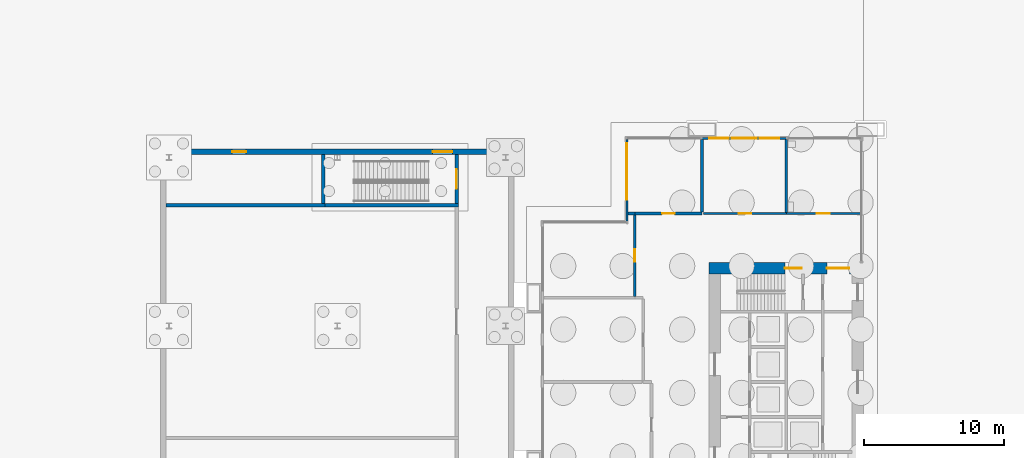
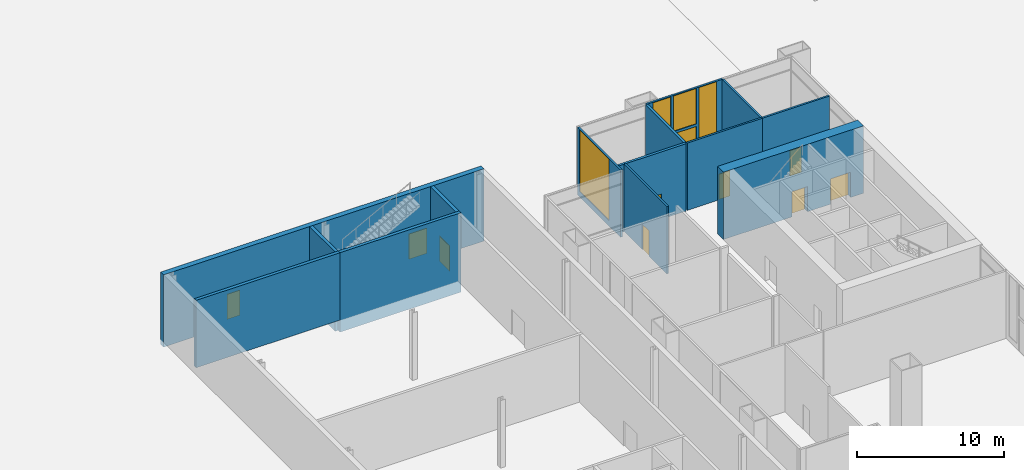
# One storey, part 24 of 29: 15 walls, 10 doors, 4 windows, 14 openings.
"""IFC4 building model written with IfcOpenShell, lengths in metres."""

from ifc_helpers import new_model, si_unit, direction, frame, frame_2d, origin, place, context, subcontext, project, spatial, rectangle, extrude, material, layer, layer_set, type_object, element, fill, save


model = new_model("IFC4")

# Units and contexts
model_context = context("Model", 3, precision=1e-05, world=origin(), true_north=direction((0.0, 1.0)))
body_context = subcontext(model_context, "Body", "Model", "MODEL_VIEW")
ifc_project = project(units=[si_unit("LENGTHUNIT", "METRE"), si_unit("AREAUNIT", "SQUARE_METRE"), si_unit("VOLUMEUNIT", "CUBIC_METRE"), si_unit("PLANEANGLEUNIT", "RADIAN"), si_unit("MASSUNIT", "GRAM", prefix="KILO")], contexts=[model_context])

# Site, building, storey
site_placement = place(None, origin())
site = spatial("IfcSite", under=ifc_project, at=site_placement, CompositionType="ELEMENT")
building_placement = place(site_placement, origin())
building = spatial("IfcBuilding", under=site, at=building_placement, Name="Kitamizu Gate Tower and Museum", CompositionType="ELEMENT")
storey_placement = place(building_placement, origin())
storey = spatial("IfcBuildingStorey", under=building, at=storey_placement, Name="L00", CompositionType="ELEMENT", Elevation=0.0)

# Wall, openings, doors
ifc_material_1 = material(Name="Concrete Fc60", Category="concrete")
ifc_layer_1 = layer(ifc_material_1, 0.800048828125)
ifc_layer_set_1 = layer_set([ifc_layer_1], Name="Concrete Fc60")
wall_type_1 = type_object("IfcWallType", Name="Core wall 800", PredefinedType="SHEAR", material=ifc_layer_set_1)
wall_1_placement = place(storey_placement, frame((12.5, 38.10009765625, 0.0), z_axis=(0.0, 0.0, 1.0), x_axis=(1.0, 0.0, 0.0)))
wall_1 = element("IfcWall", 1, at=wall_1_placement, inside=storey, type_object=wall_type_1, Name="Core wall WN", PredefinedType="SHEAR", context=body_context, shape_type="SweptSolid", body=[
    extrude(rectangle(XDim=11.0, YDim=0.800048828125, at=frame_2d((5.5, 0.0))), origin(), (0.0, 0.0, 1.0), 5.60009765625),
])
opening_1_placement = place(wall_1_placement, frame((8.39990234375, 0.0, 0.0)))
opening_1 = element("IfcOpeningElement", 2, at=opening_1_placement, cuts=wall_1, Name="Opening L00-022", PredefinedType="OPENING", context=body_context, shape_type="SweptSolid", body=[
    extrude(rectangle(XDim=1.60009765625, YDim=2.10009765625, at=frame_2d((0.800048828125, 1.050048828125))), frame((0.0, 0.41015625, 0.0), z_axis=(0.0, -1.0, 0.0), x_axis=(1.0, 0.0, 0.0)), (0.0, 0.0, 1.0), 0.820068359375),
])
opening_2_placement = place(wall_1_placement, frame((5.39990234375, 0.0, 0.0)))
opening_2 = element("IfcOpeningElement", 3, at=opening_2_placement, cuts=wall_1, Name="Opening L00-025", PredefinedType="OPENING", context=body_context, shape_type="SweptSolid", body=[
    extrude(rectangle(XDim=1.199951171875, YDim=2.10009765625, at=frame_2d((0.60009765625, 1.050048828125))), frame((0.0, 0.41015625, 0.0), z_axis=(0.0, -1.0, 0.0), x_axis=(1.0, 0.0, 0.0)), (0.0, 0.0, 1.0), 0.820068359375),
])
ifc_material_2 = material(Name="Timber door set", Category="wood")
door_type_1 = type_object("IfcDoorType", Name="Entrance door 1600", OperationType="DOUBLE_DOOR_SINGLE_SWING", PredefinedType="DOOR", material=ifc_material_2)
door_1_placement = place(opening_1_placement, origin())
door_1 = element("IfcDoor", 4, at=door_1_placement, inside=storey, type_object=door_type_1, Name="Lobby door L00-022", OperationType="DOUBLE_DOOR_SINGLE_SWING", OverallHeight=2.10009765625, OverallWidth=1.60009765625, PredefinedType="DOOR", context=body_context, shape_type="SweptSolid", body=[
    extrude(rectangle(XDim=1.60009765625, YDim=2.10009765625, at=frame_2d((0.800048828125, 1.050048828125))), frame((0.0, 0.02490234375, 0.0), z_axis=(0.0, -1.0, 0.0), x_axis=(1.0, 0.0, 0.0)), (0.0, 0.0, 1.0), 0.050048828125),
])
fill(opening_1, door_1)
ifc_material_3 = material(Name="Timber door set", Category="wood")
door_type_2 = type_object("IfcDoorType", Name="Exit door 1200", OperationType="DOUBLE_DOOR_SINGLE_SWING", PredefinedType="DOOR", material=ifc_material_3)
door_2_placement = place(opening_2_placement, origin())
door_2 = element("IfcDoor", 5, at=door_2_placement, inside=storey, type_object=door_type_2, Name="Stair exit door L00-025", OperationType="DOUBLE_DOOR_SINGLE_SWING", OverallHeight=2.10009765625, OverallWidth=1.199951171875, PredefinedType="DOOR", context=body_context, shape_type="SweptSolid", body=[
    extrude(rectangle(XDim=1.199951171875, YDim=2.10009765625, at=frame_2d((0.60009765625, 1.050048828125))), frame((0.0, 0.02490234375, 0.0), z_axis=(0.0, -1.0, 0.0), x_axis=(1.0, 0.0, 0.0)), (0.0, 0.0, 1.0), 0.050048828125),
])
fill(opening_2, door_2)

# Wall, opening, door
ifc_material_4 = material(Name="Concrete Fc30", Category="concrete")
ifc_layer_2 = layer(ifc_material_4, 0.25)
ifc_layer_set_2 = layer_set([ifc_layer_2], Name="Concrete Fc30")
wall_type_2 = type_object("IfcWallType", Name="Museum RC core wall 250 EI 90", PredefinedType="SHEAR", material=ifc_layer_set_2)
wall_2_placement = place(storey_placement, frame((-5.5, 42.72509765625, -1.0), z_axis=(0.0, 0.0, 1.0), x_axis=(0.0, 1.0, 0.0)))
wall_2 = element("IfcWall", 6, at=wall_2_placement, inside=storey, type_object=wall_type_2, Name="Core wall L00.17.1", PredefinedType="SHEAR", context=body_context, shape_type="SweptSolid", body=[
    extrude(rectangle(XDim=3.474853515625, YDim=0.25, at=frame_2d((1.7373046875, 0.0))), origin(), (0.0, 0.0, 1.0), 6.60009765625),
])
opening_3_placement = place(wall_2_placement, frame((1.0380859375, 0.0, 1.0)))
opening_3 = element("IfcOpeningElement", 7, at=opening_3_placement, cuts=wall_2, Name="Opening MUS-L00-010", PredefinedType="OPENING", context=body_context, shape_type="SweptSolid", body=[
    extrude(rectangle(XDim=1.39990234375, YDim=2.10009765625, at=frame_2d((0.699951171875, 1.050048828125))), frame((0.0, 0.135009765625, 0.0), z_axis=(0.0, -1.0, 0.0), x_axis=(1.0, 0.0, 0.0)), (0.0, 0.0, 1.0), 0.27001953125),
])
ifc_material_5 = material(Name="Timber leaf in hollow metal frame", Category="wood")
door_type_3 = type_object("IfcDoorType", Name="Museum door 1400x2100 FD60", OperationType="DOUBLE_DOOR_SINGLE_SWING", PredefinedType="DOOR", material=ifc_material_5)
door_3_placement = place(opening_3_placement, origin())
door_3 = element("IfcDoor", 8, at=door_3_placement, inside=storey, type_object=door_type_3, Name="Door Stair N", OperationType="DOUBLE_DOOR_SINGLE_SWING", OverallHeight=2.10009765625, OverallWidth=1.39990234375, PredefinedType="DOOR", context=body_context, shape_type="SweptSolid", body=[
    extrude(rectangle(XDim=1.39990234375, YDim=2.10009765625, at=frame_2d((0.699951171875, 1.050048828125))), frame((0.0, 0.02490234375, 0.0), z_axis=(0.0, -1.0, 0.0), x_axis=(1.0, 0.0, 0.0)), (0.0, 0.0, 1.0), 0.050048828125),
])
fill(opening_3, door_3)

# Walls
wall_3_placement = place(storey_placement, frame((-14.875, 42.60009765625, -1.0), z_axis=(0.0, 0.0, 1.0), x_axis=(1.0, 0.0, 0.0)))
element("IfcWall", 9, at=wall_3_placement, inside=storey, type_object=wall_type_2, Name="Core wall L00.38.1", PredefinedType="SHEAR", context=body_context, shape_type="SweptSolid", body=[
    extrude(rectangle(XDim=9.5, YDim=0.25, at=frame_2d((4.75, 0.0))), origin(), (0.0, 0.0, 1.0), 6.60009765625),
])
wall_4_placement = place(storey_placement, frame((-15.0, 42.72509765625, -1.0), z_axis=(0.0, 0.0, 1.0), x_axis=(0.0, 1.0, 0.0)))
element("IfcWall", 10, at=wall_4_placement, inside=storey, type_object=wall_type_2, Name="Core wall L00.39.1", PredefinedType="SHEAR", context=body_context, shape_type="SweptSolid", body=[
    extrude(rectangle(XDim=3.474853515625, YDim=0.25, at=frame_2d((1.7373046875, 0.0))), origin(), (0.0, 0.0, 1.0), 6.60009765625),
])

# Wall, openings, doors
ifc_material_6 = material(Name="Concrete Fc30 precast", Category="concrete")
ifc_layer_3 = layer(ifc_material_6, 0.39990234375)
ifc_layer_set_3 = layer_set([ifc_layer_3], Name="Concrete Fc30 precast")
wall_type_3 = type_object("IfcWallType", Name="Museum cladding wall 400", PredefinedType="STANDARD", material=ifc_layer_set_3)
wall_5_placement = place(storey_placement, frame((-26.60009765625, 46.39990234375, -0.39990234375), z_axis=(0.0, 0.0, 1.0), x_axis=(1.0, 0.0, 0.0)))
wall_5 = element("IfcWall", 11, at=wall_5_placement, inside=storey, type_object=wall_type_3, Name="Cladding wall L00.8", PredefinedType="STANDARD", context=body_context, shape_type="SweptSolid", body=[
    extrude(rectangle(XDim=25.2001953125, YDim=0.39990234375, at=frame_2d((12.60009765625, 0.0))), origin(), (0.0, 0.0, 1.0), 6.0),
])
opening_4_placement = place(wall_5_placement, frame((19.39990234375, 0.0, 0.39990234375)))
opening_4 = element("IfcOpeningElement", 12, at=opening_4_placement, cuts=wall_5, Name="Opening MUS-L00-004", PredefinedType="OPENING", context=body_context, shape_type="SweptSolid", body=[
    extrude(rectangle(XDim=1.39990234375, YDim=2.10009765625, at=frame_2d((0.699951171875, 1.050048828125))), frame((0.0, 0.2099609375, 0.0), z_axis=(0.0, -1.0, 0.0), x_axis=(1.0, 0.0, 0.0)), (0.0, 0.0, 1.0), 0.419921875),
])
opening_5_placement = place(wall_5_placement, frame((5.10009765625, 0.0, 0.39990234375)))
opening_5 = element("IfcOpeningElement", 13, at=opening_5_placement, cuts=wall_5, Name="Opening MUS-L00-008", PredefinedType="OPENING", context=body_context, shape_type="SweptSolid", body=[
    extrude(rectangle(XDim=1.0, YDim=2.10009765625, at=frame_2d((0.5, 1.050048828125))), frame((0.0, 0.2099609375, 0.0), z_axis=(0.0, -1.0, 0.0), x_axis=(1.0, 0.0, 0.0)), (0.0, 0.0, 1.0), 0.419921875),
])
ifc_material_7 = material(Name="Bronze anodised aluminium and tinted glass", Category="aluminium")
door_type_4 = type_object("IfcDoorType", Name="Museum entrance door 1000x2100 FD60", OperationType="NOTDEFINED", PredefinedType="DOOR", material=ifc_material_7)
door_4_placement = place(opening_5_placement, origin())
door_4 = element("IfcDoor", 14, at=door_4_placement, inside=storey, type_object=door_type_4, Name="Plant room door", OperationType="SINGLE_SWING_RIGHT", OverallHeight=2.10009765625, OverallWidth=1.0, PredefinedType="DOOR", context=body_context, shape_type="SweptSolid", body=[
    extrude(rectangle(XDim=1.0, YDim=2.10009765625, at=frame_2d((0.5, 1.050048828125))), frame((0.0, 0.02490234375, 0.0), z_axis=(0.0, -1.0, 0.0), x_axis=(1.0, 0.0, 0.0)), (0.0, 0.0, 1.0), 0.050048828125),
])
fill(opening_5, door_4)
ifc_material_8 = material(Name="Bronze anodised aluminium and tinted glass", Category="aluminium")
door_type_5 = type_object("IfcDoorType", Name="Museum entrance door 1400x2100 FD60", OperationType="DOUBLE_DOOR_SINGLE_SWING", PredefinedType="DOOR", material=ifc_material_8)
door_5_placement = place(opening_4_placement, origin())
door_5 = element("IfcDoor", 15, at=door_5_placement, inside=storey, type_object=door_type_5, Name="Stair N exit door", OperationType="DOUBLE_DOOR_SINGLE_SWING", OverallHeight=2.10009765625, OverallWidth=1.39990234375, PredefinedType="DOOR", context=body_context, shape_type="SweptSolid", body=[
    extrude(rectangle(XDim=1.39990234375, YDim=2.10009765625, at=frame_2d((0.699951171875, 1.050048828125))), frame((0.0, 0.02490234375, 0.0), z_axis=(0.0, -1.0, 0.0), x_axis=(1.0, 0.0, 0.0)), (0.0, 0.0, 1.0), 0.050048828125),
])
fill(opening_4, door_5)

# Wall
ifc_material_9 = material(Name="Gypsum board on galvanised stud")
ifc_layer_4 = layer(ifc_material_9, 0.25)
ifc_layer_set_4 = layer_set([ifc_layer_4], Name="Gypsum board on galvanised stud")
wall_type_4 = type_object("IfcWallType", Name="Museum fire rated partition 250", PredefinedType="PARTITIONING", material=ifc_layer_set_4)
wall_6_placement = place(storey_placement, frame((-26.199951171875, 42.60009765625, 0.0), z_axis=(0.0, 0.0, 1.0), x_axis=(1.0, 0.0, 0.0)))
element("IfcWall", 16, at=wall_6_placement, inside=storey, type_object=wall_type_4, Name="Fire-rated partition L00.21.1", PredefinedType="PARTITIONING", context=body_context, shape_type="SweptSolid", body=[
    extrude(rectangle(XDim=11.324951171875, YDim=0.25, at=frame_2d((5.66259765625, 0.0))), origin(), (0.0, 0.0, 1.0), 5.60009765625),
])

# Wall, opening, door
ifc_material_10 = material(Name="Gypsum board on galvanised stud")
ifc_layer_5 = layer(ifc_material_10, 0.14990234375)
ifc_layer_set_5 = layer_set([ifc_layer_5], Name="Gypsum board on galvanised stud")
wall_type_5 = type_object("IfcWallType", Name="Partition 150", PredefinedType="PARTITIONING", material=ifc_layer_set_5)
wall_7_placement = place(storey_placement, frame((7.199951171875, 41.89990234375, 0.0), z_axis=(0.0, 0.0, 1.0), x_axis=(0.0, -1.0, 0.0)))
wall_7 = element("IfcWall", 17, at=wall_7_placement, inside=storey, type_object=wall_type_5, Name="Partition L00-008", PredefinedType="PARTITIONING", context=body_context, shape_type="SweptSolid", body=[
    extrude(rectangle(XDim=5.7998046875, YDim=0.14990234375, at=frame_2d((2.89990234375, 0.0))), origin(), (0.0, 0.0, 1.0), 5.60009765625),
])
opening_6_placement = place(wall_7_placement, frame((2.449951171875, 0.0, 0.0)))
opening_6 = element("IfcOpeningElement", 18, at=opening_6_placement, cuts=wall_7, Name="Opening L00-011", PredefinedType="OPENING", context=body_context, shape_type="SweptSolid", body=[
    extrude(rectangle(XDim=0.89990234375, YDim=2.10009765625, at=frame_2d((0.449951171875, 1.050048828125))), frame((0.0, 0.0849609375, 0.0), z_axis=(0.0, -1.0, 0.0), x_axis=(1.0, 0.0, 0.0)), (0.0, 0.0, 1.0), 0.169921875),
])
ifc_material_11 = material(Name="Timber door set", Category="wood")
door_type_6 = type_object("IfcDoorType", Name="Room door 900", OperationType="NOTDEFINED", PredefinedType="DOOR", material=ifc_material_11)
door_6_placement = place(opening_6_placement, frame((0.89990234375, 0.0, 0.0), x_axis=(-1.0, 0.0, 0.0)))
door_6 = element("IfcDoor", 19, at=door_6_placement, inside=storey, type_object=door_type_6, Name="Door L00-011", OperationType="SINGLE_SWING_LEFT", OverallHeight=2.10009765625, OverallWidth=0.89990234375, PredefinedType="DOOR", context=body_context, shape_type="SweptSolid", body=[
    extrude(rectangle(XDim=0.89990234375, YDim=2.10009765625, at=frame_2d((0.449951171875, 1.050048828125))), frame((0.0, 0.02490234375, 0.0), z_axis=(0.0, -1.0, 0.0), x_axis=(1.0, 0.0, 0.0)), (0.0, 0.0, 1.0), 0.050048828125),
])
fill(opening_6, door_6)

wall_8_placement = place(storey_placement, frame((18.0, 42.0, 0.0), z_axis=(0.0, 0.0, 1.0), x_axis=(-1.0, 0.0, 0.0)))
wall_8 = element("IfcWall", 20, at=wall_8_placement, inside=storey, type_object=wall_type_5, Name="Partition L00-010", PredefinedType="PARTITIONING", context=body_context, shape_type="SweptSolid", body=[
    extrude(rectangle(XDim=5.89990234375, YDim=0.14990234375, at=frame_2d((2.949951171875, 0.0))), origin(), (0.0, 0.0, 1.0), 5.60009765625),
])
opening_7_placement = place(wall_8_placement, frame((2.5, 0.0, 0.0)))
opening_7 = element("IfcOpeningElement", 21, at=opening_7_placement, cuts=wall_8, Name="Opening L00-013", PredefinedType="OPENING", context=body_context, shape_type="SweptSolid", body=[
    extrude(rectangle(XDim=0.89990234375, YDim=2.10009765625, at=frame_2d((0.449951171875, 1.050048828125))), frame((0.0, 0.0849609375, 0.0), z_axis=(0.0, -1.0, 0.0), x_axis=(1.0, 0.0, 0.0)), (0.0, 0.0, 1.0), 0.169921875),
])
door_7_placement = place(opening_7_placement, frame((0.89990234375, 0.0, 0.0), x_axis=(-1.0, 0.0, 0.0)))
door_7 = element("IfcDoor", 22, at=door_7_placement, inside=storey, type_object=door_type_6, Name="Door L00-013", OperationType="SINGLE_SWING_LEFT", OverallHeight=2.10009765625, OverallWidth=0.89990234375, PredefinedType="DOOR", context=body_context, shape_type="SweptSolid", body=[
    extrude(rectangle(XDim=0.89990234375, YDim=2.10009765625, at=frame_2d((0.449951171875, 1.050048828125))), frame((0.0, 0.02490234375, 0.0), z_axis=(0.0, -1.0, 0.0), x_axis=(1.0, 0.0, 0.0)), (0.0, 0.0, 1.0), 0.050048828125),
])
fill(opening_7, door_7)

wall_9_placement = place(storey_placement, frame((23.280029296875, 42.0, 0.0), z_axis=(0.0, 0.0, 1.0), x_axis=(-1.0, 0.0, 0.0)))
wall_9 = element("IfcWall", 23, at=wall_9_placement, inside=storey, type_object=wall_type_5, Name="Partition L00-011", PredefinedType="PARTITIONING", context=body_context, shape_type="SweptSolid", body=[
    extrude(rectangle(XDim=5.280029296875, YDim=0.14990234375, at=frame_2d((2.64013671875, 0.0))), origin(), (0.0, 0.0, 1.0), 5.60009765625),
])
opening_8_placement = place(wall_9_placement, frame((2.18994140625, 0.0, 0.0)))
opening_8 = element("IfcOpeningElement", 24, at=opening_8_placement, cuts=wall_9, Name="Opening L00-014", PredefinedType="OPENING", context=body_context, shape_type="SweptSolid", body=[
    extrude(rectangle(XDim=0.89990234375, YDim=2.10009765625, at=frame_2d((0.449951171875, 1.050048828125))), frame((0.0, 0.0849609375, 0.0), z_axis=(0.0, -1.0, 0.0), x_axis=(1.0, 0.0, 0.0)), (0.0, 0.0, 1.0), 0.169921875),
])
door_8_placement = place(opening_8_placement, frame((0.89990234375, 0.0, 0.0), x_axis=(-1.0, 0.0, 0.0)))
door_8 = element("IfcDoor", 25, at=door_8_placement, inside=storey, type_object=door_type_6, Name="Door L00-014", OperationType="SINGLE_SWING_RIGHT", OverallHeight=2.10009765625, OverallWidth=0.89990234375, PredefinedType="DOOR", context=body_context, shape_type="SweptSolid", body=[
    extrude(rectangle(XDim=0.89990234375, YDim=2.10009765625, at=frame_2d((0.449951171875, 1.050048828125))), frame((0.0, 0.02490234375, 0.0), z_axis=(0.0, -1.0, 0.0), x_axis=(1.0, 0.0, 0.0)), (0.0, 0.0, 1.0), 0.050048828125),
])
fill(opening_8, door_8)

# Wall
wall_10_placement = place(storey_placement, frame((18.0, 42.074951171875, 0.0), z_axis=(0.0, 0.0, 1.0), x_axis=(0.0, 1.0, 0.0)))
element("IfcWall", 26, at=wall_10_placement, inside=storey, type_object=wall_type_5, Name="Partition L00-036", PredefinedType="PARTITIONING", context=body_context, shape_type="SweptSolid", body=[
    extrude(rectangle(XDim=5.205078125, YDim=0.14990234375, at=frame_2d((2.6025390625, 0.0))), origin(), (0.0, 0.0, 1.0), 5.60009765625),
])

# Wall, opening, door
ifc_material_12 = material(Name="Gypsum board on galvanised stud")
ifc_layer_6 = layer(ifc_material_12, 0.199951171875)
ifc_layer_set_6 = layer_set([ifc_layer_6], Name="Gypsum board on galvanised stud")
wall_type_6 = type_object("IfcWallType", Name="Partition 200", PredefinedType="PARTITIONING", material=ifc_layer_set_6)
wall_11_placement = place(storey_placement, frame((12.0, 42.0, 0.0), z_axis=(0.0, 0.0, 1.0), x_axis=(-1.0, 0.0, 0.0)))
wall_11 = element("IfcWall", 27, at=wall_11_placement, inside=storey, type_object=wall_type_6, Name="Partition L00-009", PredefinedType="PARTITIONING", context=body_context, shape_type="SweptSolid", body=[
    extrude(rectangle(XDim=4.800048828125, YDim=0.199951171875, at=frame_2d((2.39990234375, 0.0))), origin(), (0.0, 0.0, 1.0), 5.60009765625),
])
opening_9_placement = place(wall_11_placement, frame((1.949951171875, 0.0, 0.0)))
opening_9 = element("IfcOpeningElement", 28, at=opening_9_placement, cuts=wall_11, Name="Opening L00-012", PredefinedType="OPENING", context=body_context, shape_type="SweptSolid", body=[
    extrude(rectangle(XDim=0.89990234375, YDim=2.10009765625, at=frame_2d((0.449951171875, 1.050048828125))), frame((0.0, 0.10986328125, 0.0), z_axis=(0.0, -1.0, 0.0), x_axis=(1.0, 0.0, 0.0)), (0.0, 0.0, 1.0), 0.219970703125),
])
ifc_material_13 = material(Name="Timber door set", Category="wood")
door_type_7 = type_object("IfcDoorType", Name="Store door 900", OperationType="NOTDEFINED", PredefinedType="DOOR", material=ifc_material_13)
door_9_placement = place(opening_9_placement, frame((0.89990234375, 0.0, 0.0), x_axis=(-1.0, 0.0, 0.0)))
door_9 = element("IfcDoor", 29, at=door_9_placement, inside=storey, type_object=door_type_7, Name="Store door L00-012", OperationType="SINGLE_SWING_RIGHT", OverallHeight=2.10009765625, OverallWidth=0.89990234375, PredefinedType="DOOR", context=body_context, shape_type="SweptSolid", body=[
    extrude(rectangle(XDim=0.89990234375, YDim=2.10009765625, at=frame_2d((0.449951171875, 1.050048828125))), frame((0.0, 0.02490234375, 0.0), z_axis=(0.0, -1.0, 0.0), x_axis=(1.0, 0.0, 0.0)), (0.0, 0.0, 1.0), 0.050048828125),
])
fill(opening_9, door_9)

# Walls
wall_12_placement = place(storey_placement, frame((7.199951171875, 42.0, 0.0), z_axis=(0.0, 0.0, 1.0), x_axis=(-1.0, 0.0, 0.0)))
element("IfcWall", 30, at=wall_12_placement, inside=storey, type_object=wall_type_6, Name="Partition L00-034", PredefinedType="PARTITIONING", context=body_context, shape_type="SweptSolid", body=[
    extrude(rectangle(XDim=0.47998046875, YDim=0.199951171875, at=frame_2d((0.239990234375, 0.0))), origin(), (0.0, 0.0, 1.0), 5.60009765625),
])
wall_13_placement = place(storey_placement, frame((12.0, 42.10009765625, 0.0), z_axis=(0.0, 0.0, 1.0), x_axis=(0.0, 1.0, 0.0)))
element("IfcWall", 31, at=wall_13_placement, inside=storey, type_object=wall_type_6, Name="Partition L00-035", PredefinedType="PARTITIONING", context=body_context, shape_type="SweptSolid", body=[
    extrude(rectangle(XDim=5.179931640625, YDim=0.199951171875, at=frame_2d((2.58984375, 0.0))), origin(), (0.0, 0.0, 1.0), 5.60009765625),
])

# Wall, openings, door, windows
ifc_material_14 = material(Name="Bronze anodised aluminium frame with insulated spandrel and tinted glass", Category="aluminium")
ifc_layer_7 = layer(ifc_material_14, 0.14990234375)
ifc_layer_set_7 = layer_set([ifc_layer_7], Name="Bronze anodised aluminium frame with insulated spandrel and tinted glass")
wall_type_7 = type_object("IfcWallType", Name="WINDOW WALL 150 BRONZE FRAME EI 60", PredefinedType="ELEMENTEDWALL", material=ifc_layer_set_7)
wall_14_placement = place(storey_placement, frame((12.0, 47.364990234375, 0.0), z_axis=(0.0, 0.0, 1.0), x_axis=(1.0, 0.0, 0.0)))
wall_14 = element("IfcWall", 32, at=wall_14_placement, inside=storey, type_object=wall_type_7, Name="Window wall north L00", PredefinedType="ELEMENTEDWALL", context=body_context, shape_type="SweptSolid", body=[
    extrude(rectangle(XDim=6.0, YDim=0.14990234375, at=frame_2d((3.0, 0.0))), origin(), (0.0, 0.0, 1.0), 5.60009765625),
])
opening_10_placement = place(wall_14_placement, frame((0.5, 0.0, 0.449951171875)))
opening_10 = element("IfcOpeningElement", 33, at=opening_10_placement, cuts=wall_14, Name="Opening W10", PredefinedType="OPENING", context=body_context, shape_type="SweptSolid", body=[
    extrude(rectangle(XDim=1.39990234375, YDim=5.10009765625, at=frame_2d((0.699951171875, 2.550048828125))), frame((0.0, 0.0849609375, 0.0), z_axis=(0.0, -1.0, 0.0), x_axis=(1.0, 0.0, 0.0)), (0.0, 0.0, 1.0), 0.169921875),
])
opening_11_placement = place(wall_14_placement, frame((4.10009765625, 0.0, 0.449951171875)))
opening_11 = element("IfcOpeningElement", 34, at=opening_11_placement, cuts=wall_14, Name="Opening W10", PredefinedType="OPENING", context=body_context, shape_type="SweptSolid", body=[
    extrude(rectangle(XDim=1.39990234375, YDim=5.10009765625, at=frame_2d((0.699951171875, 2.550048828125))), frame((0.0, 0.0849609375, 0.0), z_axis=(0.0, -1.0, 0.0), x_axis=(1.0, 0.0, 0.0)), (0.0, 0.0, 1.0), 0.169921875),
])
opening_12_placement = place(wall_14_placement, frame((2.10009765625, 0.0, 0.0)))
opening_12 = element("IfcOpeningElement", 35, at=opening_12_placement, cuts=wall_14, Name="Opening L00-903", PredefinedType="OPENING", context=body_context, shape_type="SweptSolid", body=[
    extrude(rectangle(XDim=1.800048828125, YDim=2.39990234375, at=frame_2d((0.89990234375, 1.199951171875))), frame((0.0, 0.0849609375, 0.0), z_axis=(0.0, -1.0, 0.0), x_axis=(1.0, 0.0, 0.0)), (0.0, 0.0, 1.0), 0.169921875),
])
opening_13_placement = place(wall_14_placement, frame((2.10009765625, 0.0, 2.60009765625)))
opening_13 = element("IfcOpeningElement", 36, at=opening_13_placement, cuts=wall_14, Name="Opening W14", PredefinedType="OPENING", context=body_context, shape_type="SweptSolid", body=[
    extrude(rectangle(XDim=1.800048828125, YDim=2.949951171875, at=frame_2d((0.89990234375, 1.47509765625))), frame((0.0, 0.0849609375, 0.0), z_axis=(0.0, -1.0, 0.0), x_axis=(1.0, 0.0, 0.0)), (0.0, 0.0, 1.0), 0.169921875),
])
ifc_material_15 = material(Name="Bronze anodised aluminium frame, tinted toughened glass", Category="aluminium")
door_type_8 = type_object("IfcDoorType", Name="SERVICE DOOR 1800 x 2400 FIRE RATED", OperationType="DOUBLE_DOOR_SINGLE_SWING", PredefinedType="DOOR", material=ifc_material_15)
door_10_placement = place(opening_12_placement, origin())
door_10 = element("IfcDoor", 37, at=door_10_placement, inside=storey, type_object=door_type_8, Name="Service door L00-903", OperationType="DOUBLE_DOOR_SINGLE_SWING", OverallHeight=2.39990234375, OverallWidth=1.800048828125, PredefinedType="DOOR", context=body_context, shape_type="SweptSolid", body=[
    extrude(rectangle(XDim=1.800048828125, YDim=2.39990234375, at=frame_2d((0.89990234375, 1.199951171875))), frame((0.0, 0.02490234375, 0.0), z_axis=(0.0, -1.0, 0.0), x_axis=(1.0, 0.0, 0.0)), (0.0, 0.0, 1.0), 0.050048828125),
])
fill(opening_12, door_10)
ifc_material_16 = material(Name="Bronze anodised aluminium frame, tinted triple glazing", Category="aluminium")
window_type_1 = type_object("IfcWindowType", Name="WINDOW 1400 x 5100 SILL 450", PartitioningType="SINGLE_PANEL", PredefinedType="WINDOW", material=ifc_material_16)
window_1_placement = place(opening_10_placement, origin())
window_1 = element("IfcWindow", 38, at=window_1_placement, inside=storey, type_object=window_type_1, Name="Window W10 L00", OverallHeight=5.10009765625, OverallWidth=1.39990234375, PartitioningType="SINGLE_PANEL", PredefinedType="WINDOW", context=body_context, shape_type="SweptSolid", body=[
    extrude(rectangle(XDim=1.39990234375, YDim=5.10009765625, at=frame_2d((0.699951171875, 2.550048828125))), frame((0.0, 0.030029296875, 0.0), z_axis=(0.0, -1.0, 0.0), x_axis=(1.0, 0.0, 0.0)), (0.0, 0.0, 1.0), 0.06005859375),
])
fill(opening_10, window_1)
window_2_placement = place(opening_11_placement, origin())
window_2 = element("IfcWindow", 39, at=window_2_placement, inside=storey, type_object=window_type_1, Name="Window W10 L00", OverallHeight=5.10009765625, OverallWidth=1.39990234375, PartitioningType="SINGLE_PANEL", PredefinedType="WINDOW", context=body_context, shape_type="SweptSolid", body=[
    extrude(rectangle(XDim=1.39990234375, YDim=5.10009765625, at=frame_2d((0.699951171875, 2.550048828125))), frame((0.0, 0.030029296875, 0.0), z_axis=(0.0, -1.0, 0.0), x_axis=(1.0, 0.0, 0.0)), (0.0, 0.0, 1.0), 0.06005859375),
])
fill(opening_11, window_2)
ifc_material_17 = material(Name="Bronze anodised aluminium frame, tinted triple glazing", Category="aluminium")
window_type_2 = type_object("IfcWindowType", Name="WINDOW 1800 x 2950 SILL 2600", PartitioningType="SINGLE_PANEL", PredefinedType="WINDOW", material=ifc_material_17)
window_3_placement = place(opening_13_placement, origin())
window_3 = element("IfcWindow", 40, at=window_3_placement, inside=storey, type_object=window_type_2, Name="Window W14 L00", OverallHeight=2.949951171875, OverallWidth=1.800048828125, PartitioningType="SINGLE_PANEL", PredefinedType="WINDOW", context=body_context, shape_type="SweptSolid", body=[
    extrude(rectangle(XDim=1.800048828125, YDim=2.949951171875, at=frame_2d((0.89990234375, 1.47509765625))), frame((0.0, 0.030029296875, 0.0), z_axis=(0.0, -1.0, 0.0), x_axis=(1.0, 0.0, 0.0)), (0.0, 0.0, 1.0), 0.06005859375),
])
fill(opening_13, window_3)

# Wall, opening, window
wall_15_placement = place(storey_placement, frame((6.635009765625, 41.43994140625, 0.0), z_axis=(0.0, 0.0, 1.0), x_axis=(0.0, 1.0, 0.0)))
wall_15 = element("IfcWall", 41, at=wall_15_placement, inside=storey, type_object=wall_type_7, Name="Window wall west L00", PredefinedType="ELEMENTEDWALL", context=body_context, shape_type="SweptSolid", body=[
    extrude(rectangle(XDim=5.85009765625, YDim=0.14990234375, at=frame_2d((2.925048828125, 0.0))), origin(), (0.0, 0.0, 1.0), 5.60009765625),
])
opening_14_placement = place(wall_15_placement, frame((1.56005859375, 0.0, 0.449951171875)))
opening_14 = element("IfcOpeningElement", 42, at=opening_14_placement, cuts=wall_15, Name="Opening W22", PredefinedType="OPENING", context=body_context, shape_type="SweptSolid", body=[
    extrude(rectangle(XDim=4.0, YDim=5.10009765625, at=frame_2d((2.0, 2.550048828125))), frame((0.0, 0.0849609375, 0.0), z_axis=(0.0, -1.0, 0.0), x_axis=(1.0, 0.0, 0.0)), (0.0, 0.0, 1.0), 0.169921875),
])
ifc_material_18 = material(Name="Bronze anodised aluminium frame, tinted triple glazing", Category="aluminium")
window_type_3 = type_object("IfcWindowType", Name="WINDOW 4000 x 5100 SILL 450", PartitioningType="SINGLE_PANEL", PredefinedType="WINDOW", material=ifc_material_18)
window_4_placement = place(opening_14_placement, origin())
window_4 = element("IfcWindow", 43, at=window_4_placement, inside=storey, type_object=window_type_3, Name="Window W22 L00", OverallHeight=5.10009765625, OverallWidth=4.0, PartitioningType="SINGLE_PANEL", PredefinedType="WINDOW", context=body_context, shape_type="SweptSolid", body=[
    extrude(rectangle(XDim=4.0, YDim=5.10009765625, at=frame_2d((2.0, 2.550048828125))), frame((0.0, 0.030029296875, 0.0), z_axis=(0.0, -1.0, 0.0), x_axis=(1.0, 0.0, 0.0)), (0.0, 0.0, 1.0), 0.06005859375),
])
fill(opening_14, window_4)

save(model, "model.ifc")
